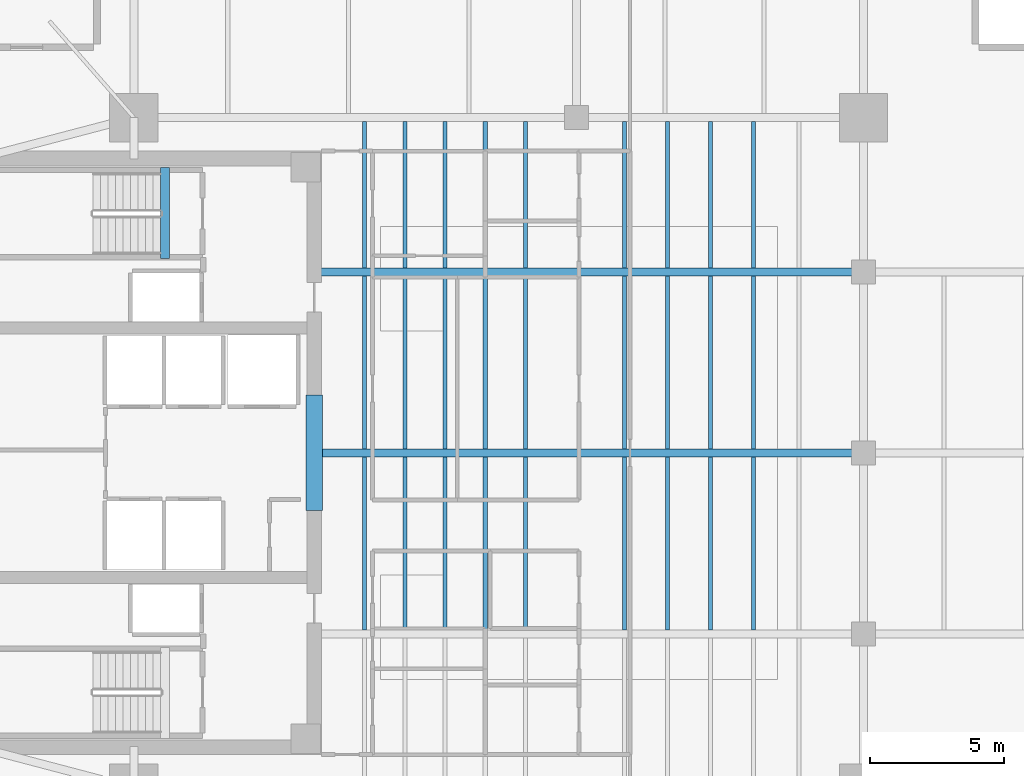
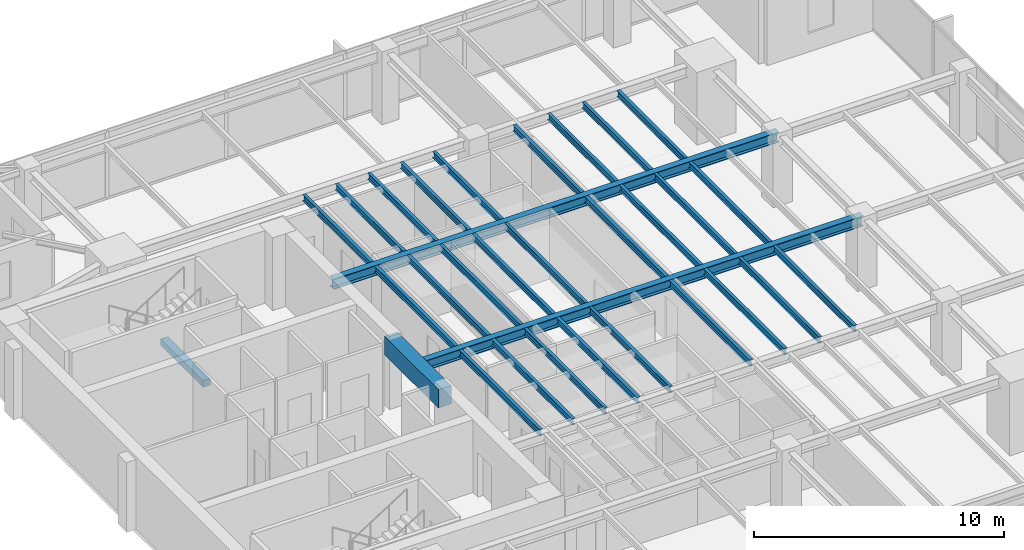
# One storey, part 3 of 14: 31 beams.
"""IFC4 building model written with IfcOpenShell, lengths in metres."""

from ifc_helpers import new_model, si_unit, direction, frame, origin, origin_2d, place, context, subcontext, project, spatial, rectangle, i_section, extrude, material, material_profile, profile_set, type_object, element, save


model = new_model("IFC4")

# Units and contexts
model_context = context("Model", 3, precision=1e-05, world=origin(), true_north=direction((0.0, 1.0)))
body_context = subcontext(model_context, "Body", "Model", "MODEL_VIEW")
ifc_project = project(units=[si_unit("LENGTHUNIT", "METRE"), si_unit("AREAUNIT", "SQUARE_METRE"), si_unit("VOLUMEUNIT", "CUBIC_METRE"), si_unit("PLANEANGLEUNIT", "RADIAN"), si_unit("MASSUNIT", "GRAM", prefix="KILO")], contexts=[model_context])

# Site, building, storey
site_placement = place(None, origin())
site = spatial("IfcSite", under=ifc_project, at=site_placement, CompositionType="ELEMENT")
building_placement = place(site_placement, origin())
building = spatial("IfcBuilding", under=site, at=building_placement, Name="Kinhvarn Gate Tower", CompositionType="ELEMENT")
storey_placement = place(building_placement, frame((0.0, 0.0, 191.60009765625)))
storey = spatial("IfcBuildingStorey", under=building, at=storey_placement, Name="L50", CompositionType="ELEMENT", Elevation=191.60009765625)

# Beams
ifc_material_1 = material(Name="Concrete C60/75", Category="concrete")
ifc_material_profile_1 = material_profile(ifc_material_1, rectangle(XDim=0.60009765625, YDim=0.89990234375, at=origin_2d()), Name="RC 600x900")
ifc_profile_set_1 = profile_set([ifc_material_profile_1], Name="Concrete C60/75")
beam_type_1 = type_object("IfcBeamType", Name="BM-CB-900", PredefinedType="LINTEL", material=ifc_profile_set_1)
beam_1_placement = place(storey_placement, frame((17.72509765625, 23.10009765625, 2.919921875), z_axis=(0.0, 1.0, 0.0), x_axis=(-1.0, 0.0, 0.0)))
element("IfcBeam", 1, at=beam_1_placement, inside=storey, type_object=beam_type_1, Name="Core East Portal Coupling Beam L50", PredefinedType="LINTEL", context=body_context, shape_type="SweptSolid", body=[
    extrude(rectangle(XDim=0.60009765625, YDim=0.89990234375, at=origin_2d()), origin(), (0.0, 0.0, 1.0), 4.2998046875),
])
ifc_material_2 = material(Name="Concrete C50/60", Category="concrete")
ifc_material_profile_2 = material_profile(ifc_material_2, rectangle(XDim=0.340087890625, YDim=0.320068359375, at=origin_2d()), Name="RC 340x320")
ifc_profile_set_2 = profile_set([ifc_material_profile_2], Name="Concrete C50/60")
beam_type_2 = type_object("IfcBeamType", Name="BM-LND-500", PredefinedType="BEAM", material=ifc_profile_set_2)
beam_2_placement = place(storey_placement, frame((12.1650390625, 32.5, -0.16015625), z_axis=(0.0, 1.0, 0.0), x_axis=(-1.0, 0.0, 0.0)))
element("IfcBeam", 2, at=beam_2_placement, inside=storey, type_object=beam_type_2, Name="Stair ST2 Landing Nosing Beam (L50)", PredefinedType="BEAM", context=body_context, shape_type="SweptSolid", body=[
    extrude(rectangle(XDim=0.340087890625, YDim=0.320068359375, at=origin_2d()), origin(), (0.0, 0.0, 1.0), 3.39990234375),
])
ifc_material_3 = material(Name="Steel S355", Category="steel")
ifc_material_profile_3 = material_profile(ifc_material_3, i_section(OverallWidth=0.300048828125, OverallDepth=0.5, WebThickness=0.014404296875, FlangeThickness=0.028076171875, at=origin_2d()), Name="HEB 500")
ifc_profile_set_3 = profile_set([ifc_material_profile_3], Name="Steel S355")
beam_type_3 = type_object("IfcBeamType", Name="STL-HEB500", PredefinedType="BEAM", material=ifc_profile_set_3)
beam_3_placement = place(storey_placement, frame((18.02490234375, 25.25, 3.119873046875), z_axis=(1.0, 0.0, 0.0), x_axis=(0.0, 1.0, 0.0)))
element("IfcBeam", 3, at=beam_3_placement, inside=storey, type_object=beam_type_3, Name="Floor Beam PG-14 (L50 EW1-Y25)", PredefinedType="BEAM", context=body_context, shape_type="SweptSolid", body=[
    extrude(i_section(OverallWidth=0.300048828125, OverallDepth=0.5, WebThickness=0.014404296875, FlangeThickness=0.028076171875, at=origin_2d()), origin(), (0.0, 0.0, 1.0), 20.175048828125),
])
beam_4_placement = place(storey_placement, frame((17.64990234375, 32.0, 3.119873046875), z_axis=(1.0, 0.0, 0.0), x_axis=(0.0, 1.0, 0.0)))
element("IfcBeam", 4, at=beam_4_placement, inside=storey, type_object=beam_type_3, Name="Floor Beam PG-14 (L50 EW1-Y32)", PredefinedType="BEAM", context=body_context, shape_type="SweptSolid", body=[
    extrude(i_section(OverallWidth=0.300048828125, OverallDepth=0.5, WebThickness=0.014404296875, FlangeThickness=0.028076171875, at=origin_2d()), origin(), (0.0, 0.0, 1.0), 20.550048828125),
])
ifc_material_profile_4 = material_profile(ifc_material_3, i_section(OverallWidth=0.14990234375, OverallDepth=0.300048828125, WebThickness=0.007080078125, FlangeThickness=0.0107421875, at=origin_2d()), Name="IPE 300")
ifc_profile_set_4 = profile_set([ifc_material_profile_4], Name="Steel S355")
beam_type_4 = type_object("IfcBeamType", Name="STL-IPE300", PredefinedType="JOIST", material=ifc_profile_set_4)
for number, where, z_axis, x_axis, name in (
    (5, (19.60009765625, 18.64990234375, 3.219970703125), (0.0, 1.0, 0.0), (-1.0, 0.0, 0.0), "Floor Joist SB-02 (L50 JC-X196-1)"),
    (6, (19.60009765625, 25.39990234375, 3.219970703125), (0.0, 1.0, 0.0), (-1.0, 0.0, 0.0), "Floor Joist SB-02 (L50 JC-X196-2)"),
):
    element("IfcBeam", number, at=place(storey_placement, frame(where, z_axis=z_axis, x_axis=x_axis)), inside=storey, type_object=beam_type_4, Name=name, PredefinedType="JOIST", context=body_context, shape_type="SweptSolid", body=[
        extrude(i_section(OverallWidth=0.14990234375, OverallDepth=0.300048828125, WebThickness=0.007080078125, FlangeThickness=0.0107421875, at=origin_2d()), origin(), (0.0, 0.0, 1.0), 6.4501953125),
    ])
beam_5_placement = place(storey_placement, frame((19.60009765625, 32.14990234375, 3.219970703125), z_axis=(0.0, 1.0, 0.0), x_axis=(-1.0, 0.0, 0.0)))
element("IfcBeam", 7, at=beam_5_placement, inside=storey, type_object=beam_type_4, Name="Floor Joist SB-02 (L50 JC-X196-3)", PredefinedType="JOIST", context=body_context, shape_type="SweptSolid", body=[
    extrude(i_section(OverallWidth=0.14990234375, OverallDepth=0.300048828125, WebThickness=0.007080078125, FlangeThickness=0.0107421875, at=origin_2d()), origin(), (0.0, 0.0, 1.0), 5.4501953125),
])
for number, where, z_axis, x_axis, name in (
    (8, (21.10009765625, 18.64990234375, 3.219970703125), (0.0, 1.0, 0.0), (-1.0, 0.0, 0.0), "Floor Joist SB-02 (L50 JC-X211-1)"),
    (9, (21.10009765625, 25.39990234375, 3.219970703125), (0.0, 1.0, 0.0), (-1.0, 0.0, 0.0), "Floor Joist SB-02 (L50 JC-X211-2)"),
):
    element("IfcBeam", number, at=place(storey_placement, frame(where, z_axis=z_axis, x_axis=x_axis)), inside=storey, type_object=beam_type_4, Name=name, PredefinedType="JOIST", context=body_context, shape_type="SweptSolid", body=[
        extrude(i_section(OverallWidth=0.14990234375, OverallDepth=0.300048828125, WebThickness=0.007080078125, FlangeThickness=0.0107421875, at=origin_2d()), origin(), (0.0, 0.0, 1.0), 6.4501953125),
    ])
beam_6_placement = place(storey_placement, frame((21.10009765625, 32.14990234375, 3.219970703125), z_axis=(0.0, 1.0, 0.0), x_axis=(-1.0, 0.0, 0.0)))
element("IfcBeam", 10, at=beam_6_placement, inside=storey, type_object=beam_type_4, Name="Floor Joist SB-02 (L50 JC-X211-3)", PredefinedType="JOIST", context=body_context, shape_type="SweptSolid", body=[
    extrude(i_section(OverallWidth=0.14990234375, OverallDepth=0.300048828125, WebThickness=0.007080078125, FlangeThickness=0.0107421875, at=origin_2d()), origin(), (0.0, 0.0, 1.0), 5.4501953125),
])
for number, where, z_axis, x_axis, name in (
    (11, (22.60009765625, 18.64990234375, 3.219970703125), (0.0, 1.0, 0.0), (-1.0, 0.0, 0.0), "Floor Joist SB-02 (L50 JC-X226-1)"),
    (12, (22.60009765625, 25.39990234375, 3.219970703125), (0.0, 1.0, 0.0), (-1.0, 0.0, 0.0), "Floor Joist SB-02 (L50 JC-X226-2)"),
):
    element("IfcBeam", number, at=place(storey_placement, frame(where, z_axis=z_axis, x_axis=x_axis)), inside=storey, type_object=beam_type_4, Name=name, PredefinedType="JOIST", context=body_context, shape_type="SweptSolid", body=[
        extrude(i_section(OverallWidth=0.14990234375, OverallDepth=0.300048828125, WebThickness=0.007080078125, FlangeThickness=0.0107421875, at=origin_2d()), origin(), (0.0, 0.0, 1.0), 6.4501953125),
    ])
beam_7_placement = place(storey_placement, frame((22.60009765625, 32.14990234375, 3.219970703125), z_axis=(0.0, 1.0, 0.0), x_axis=(-1.0, 0.0, 0.0)))
element("IfcBeam", 13, at=beam_7_placement, inside=storey, type_object=beam_type_4, Name="Floor Joist SB-02 (L50 JC-X226-3)", PredefinedType="JOIST", context=body_context, shape_type="SweptSolid", body=[
    extrude(i_section(OverallWidth=0.14990234375, OverallDepth=0.300048828125, WebThickness=0.007080078125, FlangeThickness=0.0107421875, at=origin_2d()), origin(), (0.0, 0.0, 1.0), 5.4501953125),
])
for number, where, z_axis, x_axis, name in (
    (14, (24.10009765625, 18.64990234375, 3.219970703125), (0.0, 1.0, 0.0), (-1.0, 0.0, 0.0), "Floor Joist SB-02 (L50 JC-X241-1)"),
    (15, (24.10009765625, 25.39990234375, 3.219970703125), (0.0, 1.0, 0.0), (-1.0, 0.0, 0.0), "Floor Joist SB-02 (L50 JC-X241-2)"),
):
    element("IfcBeam", number, at=place(storey_placement, frame(where, z_axis=z_axis, x_axis=x_axis)), inside=storey, type_object=beam_type_4, Name=name, PredefinedType="JOIST", context=body_context, shape_type="SweptSolid", body=[
        extrude(i_section(OverallWidth=0.14990234375, OverallDepth=0.300048828125, WebThickness=0.007080078125, FlangeThickness=0.0107421875, at=origin_2d()), origin(), (0.0, 0.0, 1.0), 6.4501953125),
    ])
beam_8_placement = place(storey_placement, frame((24.10009765625, 32.14990234375, 3.219970703125), z_axis=(0.0, 1.0, 0.0), x_axis=(-1.0, 0.0, 0.0)))
element("IfcBeam", 16, at=beam_8_placement, inside=storey, type_object=beam_type_4, Name="Floor Joist SB-02 (L50 JC-X241-3)", PredefinedType="JOIST", context=body_context, shape_type="SweptSolid", body=[
    extrude(i_section(OverallWidth=0.14990234375, OverallDepth=0.300048828125, WebThickness=0.007080078125, FlangeThickness=0.0107421875, at=origin_2d()), origin(), (0.0, 0.0, 1.0), 5.4501953125),
])
for number, where, z_axis, x_axis, name in (
    (17, (25.60009765625, 18.64990234375, 3.219970703125), (0.0, 1.0, 0.0), (-1.0, 0.0, 0.0), "Floor Joist SB-02 (L50 JC-X256-1)"),
    (18, (25.60009765625, 25.39990234375, 3.219970703125), (0.0, 1.0, 0.0), (-1.0, 0.0, 0.0), "Floor Joist SB-02 (L50 JC-X256-2)"),
):
    element("IfcBeam", number, at=place(storey_placement, frame(where, z_axis=z_axis, x_axis=x_axis)), inside=storey, type_object=beam_type_4, Name=name, PredefinedType="JOIST", context=body_context, shape_type="SweptSolid", body=[
        extrude(i_section(OverallWidth=0.14990234375, OverallDepth=0.300048828125, WebThickness=0.007080078125, FlangeThickness=0.0107421875, at=origin_2d()), origin(), (0.0, 0.0, 1.0), 6.4501953125),
    ])
beam_9_placement = place(storey_placement, frame((25.60009765625, 32.14990234375, 3.219970703125), z_axis=(0.0, 1.0, 0.0), x_axis=(-1.0, 0.0, 0.0)))
element("IfcBeam", 19, at=beam_9_placement, inside=storey, type_object=beam_type_4, Name="Floor Joist SB-02 (L50 JC-X256-3)", PredefinedType="JOIST", context=body_context, shape_type="SweptSolid", body=[
    extrude(i_section(OverallWidth=0.14990234375, OverallDepth=0.300048828125, WebThickness=0.007080078125, FlangeThickness=0.0107421875, at=origin_2d()), origin(), (0.0, 0.0, 1.0), 5.4501953125),
])
for number, where, z_axis, x_axis, name in (
    (20, (29.300048828125, 18.64990234375, 3.219970703125), (0.0, 1.0, 0.0), (-1.0, 0.0, 0.0), "Floor Joist SB-02 (L50 JC-X293-1)"),
    (21, (29.300048828125, 25.39990234375, 3.219970703125), (0.0, 1.0, 0.0), (-1.0, 0.0, 0.0), "Floor Joist SB-02 (L50 JC-X293-2)"),
):
    element("IfcBeam", number, at=place(storey_placement, frame(where, z_axis=z_axis, x_axis=x_axis)), inside=storey, type_object=beam_type_4, Name=name, PredefinedType="JOIST", context=body_context, shape_type="SweptSolid", body=[
        extrude(i_section(OverallWidth=0.14990234375, OverallDepth=0.300048828125, WebThickness=0.007080078125, FlangeThickness=0.0107421875, at=origin_2d()), origin(), (0.0, 0.0, 1.0), 6.4501953125),
    ])
beam_10_placement = place(storey_placement, frame((29.300048828125, 32.14990234375, 3.219970703125), z_axis=(0.0, 1.0, 0.0), x_axis=(-1.0, 0.0, 0.0)))
element("IfcBeam", 22, at=beam_10_placement, inside=storey, type_object=beam_type_4, Name="Floor Joist SB-02 (L50 JC-X293-3)", PredefinedType="JOIST", context=body_context, shape_type="SweptSolid", body=[
    extrude(i_section(OverallWidth=0.14990234375, OverallDepth=0.300048828125, WebThickness=0.007080078125, FlangeThickness=0.0107421875, at=origin_2d()), origin(), (0.0, 0.0, 1.0), 5.4501953125),
])
for number, where, z_axis, x_axis, name in (
    (23, (30.89990234375, 18.64990234375, 3.219970703125), (0.0, 1.0, 0.0), (-1.0, 0.0, 0.0), "Floor Joist SB-02 (L50 JC-X309-1)"),
    (24, (30.89990234375, 25.39990234375, 3.219970703125), (0.0, 1.0, 0.0), (-1.0, 0.0, 0.0), "Floor Joist SB-02 (L50 JC-X309-2)"),
):
    element("IfcBeam", number, at=place(storey_placement, frame(where, z_axis=z_axis, x_axis=x_axis)), inside=storey, type_object=beam_type_4, Name=name, PredefinedType="JOIST", context=body_context, shape_type="SweptSolid", body=[
        extrude(i_section(OverallWidth=0.14990234375, OverallDepth=0.300048828125, WebThickness=0.007080078125, FlangeThickness=0.0107421875, at=origin_2d()), origin(), (0.0, 0.0, 1.0), 6.4501953125),
    ])
beam_11_placement = place(storey_placement, frame((30.89990234375, 32.14990234375, 3.219970703125), z_axis=(0.0, 1.0, 0.0), x_axis=(-1.0, 0.0, 0.0)))
element("IfcBeam", 25, at=beam_11_placement, inside=storey, type_object=beam_type_4, Name="Floor Joist SB-02 (L50 JC-X309-3)", PredefinedType="JOIST", context=body_context, shape_type="SweptSolid", body=[
    extrude(i_section(OverallWidth=0.14990234375, OverallDepth=0.300048828125, WebThickness=0.007080078125, FlangeThickness=0.0107421875, at=origin_2d()), origin(), (0.0, 0.0, 1.0), 5.4501953125),
])
for number, where, z_axis, x_axis, name in (
    (26, (32.5, 18.64990234375, 3.219970703125), (0.0, 1.0, 0.0), (-1.0, 0.0, 0.0), "Floor Joist SB-02 (L50 JC-X325-1)"),
    (27, (32.5, 25.39990234375, 3.219970703125), (0.0, 1.0, 0.0), (-1.0, 0.0, 0.0), "Floor Joist SB-02 (L50 JC-X325-2)"),
):
    element("IfcBeam", number, at=place(storey_placement, frame(where, z_axis=z_axis, x_axis=x_axis)), inside=storey, type_object=beam_type_4, Name=name, PredefinedType="JOIST", context=body_context, shape_type="SweptSolid", body=[
        extrude(i_section(OverallWidth=0.14990234375, OverallDepth=0.300048828125, WebThickness=0.007080078125, FlangeThickness=0.0107421875, at=origin_2d()), origin(), (0.0, 0.0, 1.0), 6.4501953125),
    ])
beam_12_placement = place(storey_placement, frame((32.5, 32.14990234375, 3.219970703125), z_axis=(0.0, 1.0, 0.0), x_axis=(-1.0, 0.0, 0.0)))
element("IfcBeam", 28, at=beam_12_placement, inside=storey, type_object=beam_type_4, Name="Floor Joist SB-02 (L50 JC-X325-3)", PredefinedType="JOIST", context=body_context, shape_type="SweptSolid", body=[
    extrude(i_section(OverallWidth=0.14990234375, OverallDepth=0.300048828125, WebThickness=0.007080078125, FlangeThickness=0.0107421875, at=origin_2d()), origin(), (0.0, 0.0, 1.0), 5.4501953125),
])
for number, where, z_axis, x_axis, name in (
    (29, (34.10009765625, 18.64990234375, 3.219970703125), (0.0, 1.0, 0.0), (-1.0, 0.0, 0.0), "Floor Joist SB-02 (L50 JC-X341-1)"),
    (30, (34.10009765625, 25.39990234375, 3.219970703125), (0.0, 1.0, 0.0), (-1.0, 0.0, 0.0), "Floor Joist SB-02 (L50 JC-X341-2)"),
):
    element("IfcBeam", number, at=place(storey_placement, frame(where, z_axis=z_axis, x_axis=x_axis)), inside=storey, type_object=beam_type_4, Name=name, PredefinedType="JOIST", context=body_context, shape_type="SweptSolid", body=[
        extrude(i_section(OverallWidth=0.14990234375, OverallDepth=0.300048828125, WebThickness=0.007080078125, FlangeThickness=0.0107421875, at=origin_2d()), origin(), (0.0, 0.0, 1.0), 6.4501953125),
    ])
beam_13_placement = place(storey_placement, frame((34.10009765625, 32.14990234375, 3.219970703125), z_axis=(0.0, 1.0, 0.0), x_axis=(-1.0, 0.0, 0.0)))
element("IfcBeam", 31, at=beam_13_placement, inside=storey, type_object=beam_type_4, Name="Floor Joist SB-02 (L50 JC-X341-3)", PredefinedType="JOIST", context=body_context, shape_type="SweptSolid", body=[
    extrude(i_section(OverallWidth=0.14990234375, OverallDepth=0.300048828125, WebThickness=0.007080078125, FlangeThickness=0.0107421875, at=origin_2d()), origin(), (0.0, 0.0, 1.0), 5.4501953125),
])

save(model, "model.ifc")
